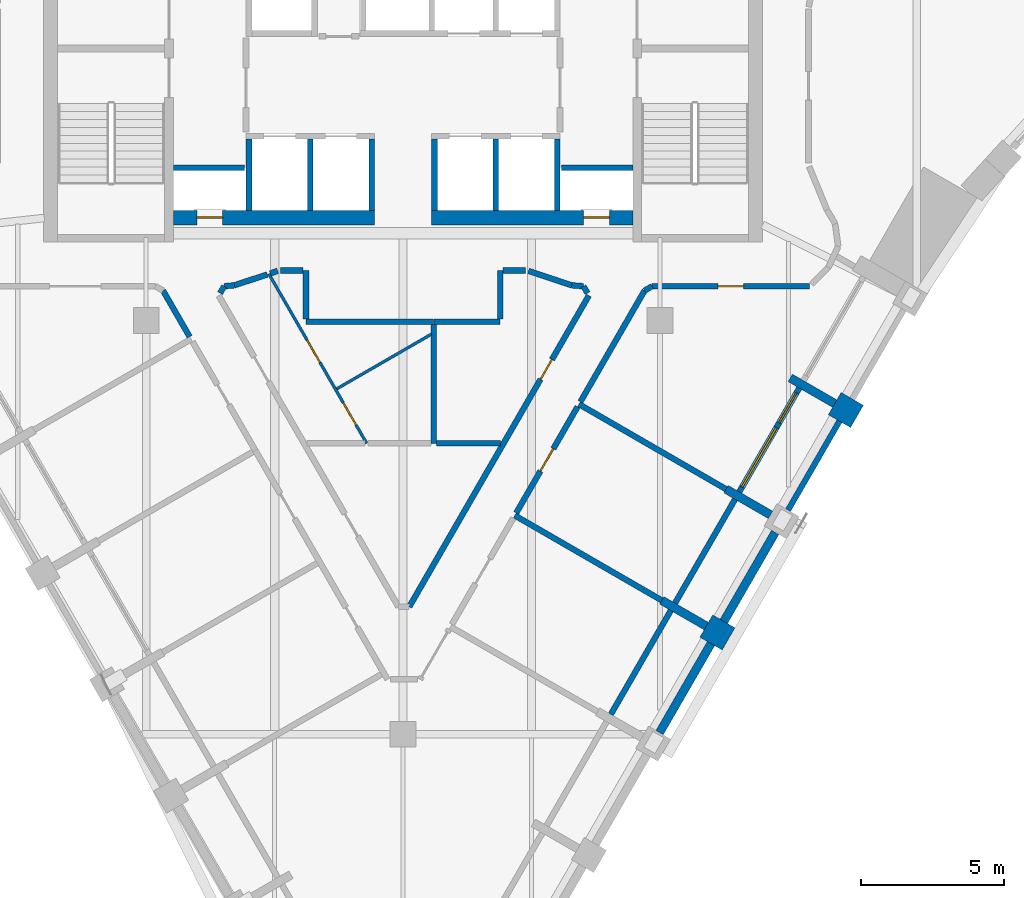
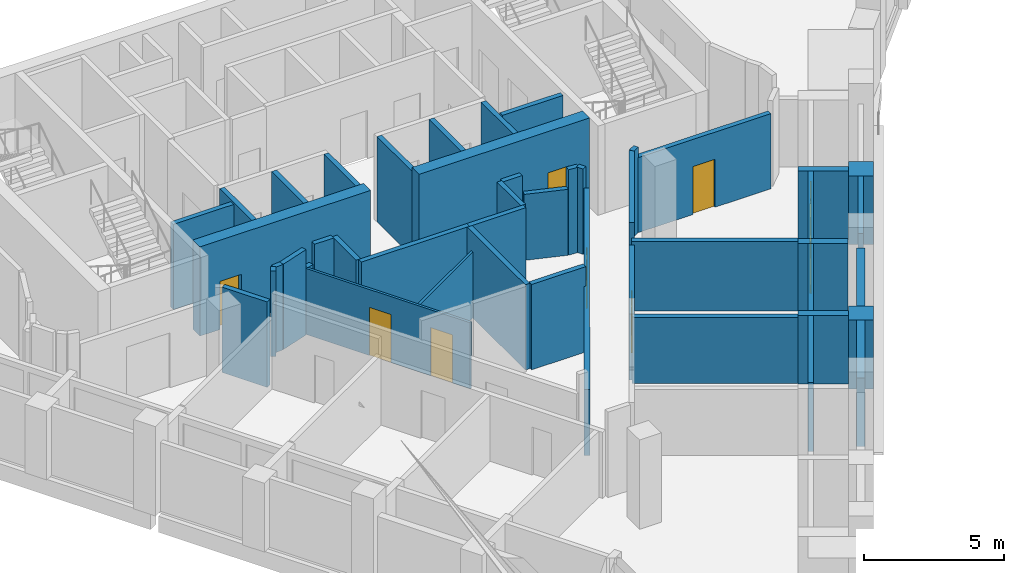
# One storey, part 4 of 9: 46 walls, 8 doors, 1 window, 9 openings.
"""IFC4 building model written with IfcOpenShell, lengths in metres."""

from ifc_helpers import new_model, si_unit, direction, frame, frame_2d, origin, place, context, subcontext, project, spatial, polyline, rectangle, outline, extrude, material, layer, layer_set, type_object, element, fill, save


model = new_model("IFC4")

# Units and contexts
model_context = context("Model", 3, precision=1e-05, world=origin(), true_north=direction((0.0, 1.0)))
body_context = subcontext(model_context, "Body", "Model", "MODEL_VIEW")
ifc_project = project(units=[si_unit("LENGTHUNIT", "METRE"), si_unit("AREAUNIT", "SQUARE_METRE"), si_unit("VOLUMEUNIT", "CUBIC_METRE"), si_unit("PLANEANGLEUNIT", "RADIAN"), si_unit("MASSUNIT", "GRAM", prefix="KILO")], contexts=[model_context])

# Site, building, storey
site_placement = place(None, origin())
site = spatial("IfcSite", under=ifc_project, at=site_placement, CompositionType="ELEMENT")
building_placement = place(site_placement, origin())
building = spatial("IfcBuilding", under=site, at=building_placement, Name="Calabash Gate Tower", CompositionType="ELEMENT")
storey_placement = place(building_placement, frame((0.0, 0.0, 256.0)))
storey = spatial("IfcBuildingStorey", under=building, at=storey_placement, Name="L61", CompositionType="ELEMENT", Elevation=256.0)

# Walls
ifc_material_1 = material(Name="Terracotta brick masonry, exposed face", Category="masonry")
ifc_layer_1 = layer(ifc_material_1, 0.89990234375)
ifc_layer_set_1 = layer_set([ifc_layer_1], Name="Brick end wall 900")
wall_type_1 = type_object("IfcWallType", Name="Brick end wall 900", PredefinedType="SOLIDWALL", material=ifc_layer_set_1)
wall_1_placement = place(storey_placement, frame((10.7880859375, -8.822021484375, 0.0), z_axis=(0.0, 0.0, 1.0), x_axis=(0.50001992892, 0.866013897511, 0.0)))
element("IfcWall", 1, at=wall_1_placement, inside=storey, type_object=wall_type_1, Name="Brick pier S17 SE2.3", PredefinedType="SOLIDWALL", context=body_context, shape_type="SweptSolid", body=[
    extrude(rectangle(XDim=0.89990234375, YDim=0.89990234375, at=frame_2d((0.449951171875, 0.0))), origin(), (0.0, 0.0, 1.0), 3.0),
])
wall_2_placement = place(storey_placement, frame((15.123291015625, -0.4130859375, 0.0), z_axis=(0.0, 0.0, 1.0), x_axis=(0.865964261186, -0.500105887137, 0.0)))
element("IfcWall", 2, at=wall_2_placement, inside=storey, type_object=wall_type_1, Name="Brick pier S17 SE2.5", PredefinedType="SOLIDWALL", context=body_context, shape_type="SweptSolid", body=[
    extrude(rectangle(XDim=0.900146484375, YDim=0.89990234375, at=frame_2d((0.4501953125, 0.0))), origin(), (0.0, 0.0, 1.0), 3.0),
])
ifc_material_2 = material(Name="Terracotta brick masonry, exposed face", Category="masonry")
ifc_layer_2 = layer(ifc_material_2, 0.300048828125)
ifc_layer_set_2 = layer_set([ifc_layer_2], Name="Brick infill panel wall 300")
wall_type_2 = type_object("IfcWallType", Name="Brick infill panel wall 300", PredefinedType="SOLIDWALL", material=ifc_layer_set_2)
for number, where, z_axis, x_axis, name in (
    (3, (8.988037109375, -11.939697265625, 0.0), (0.0, 0.0, 1.0), (0.500012057535, 0.866018442252, 0.0), "Brick panel S17 SE2.3"),
    (4, (11.238037109375, -8.042724609375, 0.0), (0.0, 0.0, 1.0), (0.500012057535, 0.866018442252, 0.0), "Brick panel S17 SE2.4"),
):
    element("IfcWall", number, at=place(storey_placement, frame(where, z_axis=z_axis, x_axis=x_axis)), inside=storey, type_object=wall_type_2, Name=name, PredefinedType="SOLIDWALL", context=body_context, shape_type="SweptSolid", body=[
        extrude(rectangle(XDim=3.60009765625, YDim=0.300048828125, at=frame_2d((1.800048828125, 0.0))), origin(), (0.0, 0.0, 1.0), 3.0),
    ])
ifc_material_3 = material(Name="Terracotta brick masonry, exposed face", Category="masonry")
ifc_layer_3 = layer(ifc_material_3, 0.300048828125)
ifc_layer_set_3 = layer_set([ifc_layer_3], Name="Brick loggia cheek wall 300")
wall_type_3 = type_object("IfcWallType", Name="Brick loggia cheek wall 300", PredefinedType="SOLIDWALL", material=ifc_layer_set_3)
wall_3_placement = place(storey_placement, frame((9.064453125, -7.307373046875, 0.0), z_axis=(0.0, 0.0, 1.0), x_axis=(0.865989075817, -0.500062916607, 0.0)))
element("IfcWall", 5, at=wall_3_placement, inside=storey, type_object=wall_type_3, Name="Loggia cheek S17 SE2.3", PredefinedType="SOLIDWALL", context=body_context, shape_type="SweptSolid", body=[
    extrude(rectangle(XDim=1.800048828125, YDim=0.300048828125, at=frame_2d((0.89990234375, 0.0))), origin(), (0.0, 0.0, 1.0), 3.0),
])
wall_4_placement = place(storey_placement, frame((11.314453125, -3.410400390625, 0.0), z_axis=(0.0, 0.0, 1.0), x_axis=(0.866029639064, -0.499992664208, 0.0)))
element("IfcWall", 6, at=wall_4_placement, inside=storey, type_object=wall_type_3, Name="Loggia cheek S17 SE2.4", PredefinedType="SOLIDWALL", context=body_context, shape_type="SweptSolid", body=[
    extrude(rectangle(XDim=1.798828125, YDim=0.300048828125, at=frame_2d((0.8994140625, 0.0))), origin(), (0.0, 0.0, 1.0), 3.0),
])
wall_5_placement = place(storey_placement, frame((15.123291015625, -0.4130859375, 0.0), z_axis=(0.0, 0.0, 1.0), x_axis=(-0.866047807691, 0.499961193289, 0.0)))
element("IfcWall", 7, at=wall_5_placement, inside=storey, type_object=wall_type_3, Name="Loggia cheek S17 SE2.5", PredefinedType="SOLIDWALL", context=body_context, shape_type="SweptSolid", body=[
    extrude(rectangle(XDim=1.800048828125, YDim=0.300048828125, at=frame_2d((0.89990234375, 0.0))), origin(), (0.0, 0.0, 1.0), 3.0),
])

# Wall, opening, door
ifc_material_4 = material(Name="Concrete C60/75", Category="concrete")
ifc_layer_4 = layer(ifc_material_4, 0.5)
ifc_layer_set_4 = layer_set([ifc_layer_4], Name="Core wall 500 Concrete C60/75")
wall_type_4 = type_object("IfcWallType", Name="Core wall 500 Concrete C60/75", PredefinedType="SHEAR", material=ifc_layer_set_4)
wall_6_placement = place(storey_placement, frame((-8.050048828125, 6.1025390625, 0.0), z_axis=(0.0, 0.0, 1.0), x_axis=(1.0, 0.0, 0.0)))
wall_6 = element("IfcWall", 8, at=wall_6_placement, inside=storey, type_object=wall_type_4, Name="Core wall Z5-SA L61", PredefinedType="SHEAR", context=body_context, shape_type="SweptSolid", body=[
    extrude(rectangle(XDim=7.050048828125, YDim=0.5, at=frame_2d((3.52490234375, 0.0))), origin(), (0.0, 0.0, 1.0), 3.89990234375),
])
opening_1_placement = place(wall_6_placement, frame((0.824951171875, 0.0, 0.0)))
opening_1 = element("IfcOpeningElement", 9, at=opening_1_placement, cuts=wall_6, Name="Opening O9-010", PredefinedType="OPENING", context=body_context, shape_type="SweptSolid", body=[
    extrude(rectangle(XDim=0.89990234375, YDim=2.10009765625, at=frame_2d((0.449951171875, 1.050048828125))), frame((0.0, 0.260009765625, 0.0), z_axis=(0.0, -1.0, 0.0), x_axis=(1.0, 0.0, 0.0)), (0.0, 0.0, 1.0), 0.52001953125),
])
ifc_material_5 = material(Name="Steel fire door set with fire-resisting glazing", Category="steel")
door_type_1 = type_object("IfcDoorType", Name="Fire door D07 900x2100 FD90", OperationType="NOTDEFINED", PredefinedType="DOOR", material=ifc_material_5)
door_1_placement = place(opening_1_placement, origin())
door_1 = element("IfcDoor", 10, at=door_1_placement, inside=storey, type_object=door_type_1, Name="Electrical Riser W door", OperationType="SINGLE_SWING_LEFT", OverallHeight=2.10009765625, OverallWidth=0.89990234375, PredefinedType="DOOR", context=body_context, shape_type="SweptSolid", body=[
    extrude(rectangle(XDim=0.89990234375, YDim=2.10009765625, at=frame_2d((0.449951171875, 1.050048828125))), frame((0.0, 0.02490234375, 0.0), z_axis=(0.0, -1.0, 0.0), x_axis=(1.0, 0.0, 0.0)), (0.0, 0.0, 1.0), 0.050048828125),
])
fill(opening_1, door_1)

wall_7_placement = place(storey_placement, frame((1.0, 6.1025390625, 0.0), z_axis=(0.0, 0.0, 1.0), x_axis=(1.0, 0.0, 0.0)))
wall_7 = element("IfcWall", 11, at=wall_7_placement, inside=storey, type_object=wall_type_4, Name="Core wall Z5-SB L61", PredefinedType="SHEAR", context=body_context, shape_type="SweptSolid", body=[
    extrude(rectangle(XDim=7.050048828125, YDim=0.5, at=frame_2d((3.52490234375, 0.0))), origin(), (0.0, 0.0, 1.0), 3.89990234375),
])
opening_2_placement = place(wall_7_placement, frame((5.324951171875, 0.0, 0.0)))
opening_2 = element("IfcOpeningElement", 12, at=opening_2_placement, cuts=wall_7, Name="Opening O9-009", PredefinedType="OPENING", context=body_context, shape_type="SweptSolid", body=[
    extrude(rectangle(XDim=0.89990234375, YDim=2.10009765625, at=frame_2d((0.449951171875, 1.050048828125))), frame((0.0, 0.260009765625, 0.0), z_axis=(0.0, -1.0, 0.0), x_axis=(1.0, 0.0, 0.0)), (0.0, 0.0, 1.0), 0.52001953125),
])
door_2_placement = place(opening_2_placement, origin())
door_2 = element("IfcDoor", 13, at=door_2_placement, inside=storey, type_object=door_type_1, Name="Mechanical Riser E door", OperationType="SINGLE_SWING_RIGHT", OverallHeight=2.10009765625, OverallWidth=0.89990234375, PredefinedType="DOOR", context=body_context, shape_type="SweptSolid", body=[
    extrude(rectangle(XDim=0.89990234375, YDim=2.10009765625, at=frame_2d((0.449951171875, 1.050048828125))), frame((0.0, 0.02490234375, 0.0), z_axis=(0.0, -1.0, 0.0), x_axis=(1.0, 0.0, 0.0)), (0.0, 0.0, 1.0), 0.050048828125),
])
fill(opening_2, door_2)

# Wall
ifc_material_6 = material(Name="Gypsum board on steel studs, mineral wool", Category="steel")
ifc_layer_5 = layer(ifc_material_6, 0.10009765625)
ifc_layer_set_5 = layer_set([ifc_layer_5], Name="Partition 100 gypsum board")
wall_type_5 = type_object("IfcWallType", Name="Partition 100 gypsum board", PredefinedType="PARTITIONING", material=ifc_layer_set_5)
wall_8_placement = place(storey_placement, frame((-2.320068359375, 0.105712890625, 0.0), z_axis=(0.0, 0.0, 1.0), x_axis=(0.866013238859, 0.500021069677, 0.0)))
element("IfcWall", 14, at=wall_8_placement, inside=storey, type_object=wall_type_5, Name="Partition", PredefinedType="PARTITIONING", context=body_context, shape_type="SweptSolid", body=[
    extrude(rectangle(XDim=3.821533203125, YDim=0.10009765625, at=frame_2d((1.91064453125, 0.0))), origin(), (0.0, 0.0, 1.0), 2.884033203125),
])

# Wall, openings, doors
wall_9_placement = place(storey_placement, frame((-4.702392578125, 4.13232421875, 0.0), z_axis=(0.0, 0.0, 1.0), x_axis=(0.499966025771, -0.866045017926, 0.0)))
wall_9 = element("IfcWall", 15, at=wall_9_placement, inside=storey, type_object=wall_type_5, Name="Partition", PredefinedType="PARTITIONING", context=body_context, shape_type="SweptSolid", body=[
    extrude(rectangle(XDim=6.8544921875, YDim=0.10009765625, at=frame_2d((3.42724609375, 0.0))), origin(), (0.0, 0.0, 1.0), 2.884033203125),
])
opening_3_placement = place(wall_9_placement, frame((2.68798828125, 0.0, 0.0)))
opening_3 = element("IfcOpeningElement", 16, at=opening_3_placement, cuts=wall_9, Name="Opening 59-61-014", PredefinedType="OPENING", context=body_context, shape_type="SweptSolid", body=[
    extrude(rectangle(XDim=0.89990234375, YDim=2.10009765625, at=frame_2d((0.449951171875, 1.050048828125))), frame((0.0, 0.06005859375, 0.0), z_axis=(0.0, -1.0, 0.0), x_axis=(1.0, 0.0, 0.0)), (0.0, 0.0, 1.0), 0.1201171875),
])
opening_4_placement = place(wall_9_placement, frame((5.215576171875, 0.0, 0.0)))
opening_4 = element("IfcOpeningElement", 17, at=opening_4_placement, cuts=wall_9, Name="Opening 59-61-015", PredefinedType="OPENING", context=body_context, shape_type="SweptSolid", body=[
    extrude(rectangle(XDim=0.89990234375, YDim=2.10009765625, at=frame_2d((0.449951171875, 1.050048828125))), frame((0.0, 0.06005859375, 0.0), z_axis=(0.0, -1.0, 0.0), x_axis=(1.0, 0.0, 0.0)), (0.0, 0.0, 1.0), 0.1201171875),
])
ifc_material_7 = material(Name="Painted timber door", Category="wood")
door_type_2 = type_object("IfcDoorType", Name="WD1 WC door 900x2100", OperationType="NOTDEFINED", PredefinedType="DOOR", material=ifc_material_7)
door_3_placement = place(opening_3_placement, origin())
door_3 = element("IfcDoor", 18, at=door_3_placement, inside=storey, type_object=door_type_2, Name="WC door", OperationType="SINGLE_SWING_LEFT", OverallHeight=2.10009765625, OverallWidth=0.89990234375, PredefinedType="DOOR", context=body_context, shape_type="SweptSolid", body=[
    extrude(rectangle(XDim=0.89990234375, YDim=2.10009765625, at=frame_2d((0.449951171875, 1.050048828125))), frame((0.0, 0.02490234375, 0.0), z_axis=(0.0, -1.0, 0.0), x_axis=(1.0, 0.0, 0.0)), (0.0, 0.0, 1.0), 0.050048828125),
])
fill(opening_3, door_3)
door_4_placement = place(opening_4_placement, origin())
door_4 = element("IfcDoor", 19, at=door_4_placement, inside=storey, type_object=door_type_2, Name="WC door", OperationType="SINGLE_SWING_RIGHT", OverallHeight=2.10009765625, OverallWidth=0.89990234375, PredefinedType="DOOR", context=body_context, shape_type="SweptSolid", body=[
    extrude(rectangle(XDim=0.89990234375, YDim=2.10009765625, at=frame_2d((0.449951171875, 1.050048828125))), frame((0.0, 0.02490234375, 0.0), z_axis=(0.0, -1.0, 0.0), x_axis=(1.0, 0.0, 0.0)), (0.0, 0.0, 1.0), 0.050048828125),
])
fill(opening_4, door_4)

# Wall, opening, door
ifc_material_8 = material(Name="Gypsum board on steel studs, mineral wool", Category="steel")
ifc_layer_6 = layer(ifc_material_8, 0.199951171875)
ifc_layer_set_6 = layer_set([ifc_layer_6], Name="Partition 200 gypsum board EI 60")
wall_type_6 = type_object("IfcWallType", Name="Partition 200 gypsum board EI 60", PredefinedType="PARTITIONING", material=ifc_layer_set_6)
wall_10_placement = place(storey_placement, frame((0.216552734375, -7.531982421875, 0.0), z_axis=(0.0, 0.0, 1.0), x_axis=(0.499766665369, 0.866160077691, 0.0)))
wall_10 = element("IfcWall", 20, at=wall_10_placement, inside=storey, type_object=wall_type_6, Name="Partition", PredefinedType="PARTITIONING", context=body_context, shape_type="SweptSolid", body=[
    extrude(rectangle(XDim=12.58837890625, YDim=0.199951171875, at=frame_2d((6.294189453125, 0.0))), origin(), (0.0, 0.0, 1.0), 2.884033203125),
])
opening_5_placement = place(wall_10_placement, frame((9.20068359375, 0.0, 0.0)))
opening_5 = element("IfcOpeningElement", 21, at=opening_5_placement, cuts=wall_10, Name="Opening 59-61-006", PredefinedType="OPENING", context=body_context, shape_type="SweptSolid", body=[
    extrude(rectangle(XDim=0.800048828125, YDim=2.10009765625, at=frame_2d((0.39990234375, 1.050048828125))), frame((0.0, 0.10986328125, 0.0), z_axis=(0.0, -1.0, 0.0), x_axis=(1.0, 0.0, 0.0)), (0.0, 0.0, 1.0), 0.219970703125),
])
ifc_material_9 = material(Name="Steel fire door set with fire-resisting glazing", Category="steel")
door_type_3 = type_object("IfcDoorType", Name="SD2 Riser access door 800x2100", OperationType="NOTDEFINED", PredefinedType="DOOR", material=ifc_material_9)
door_5_placement = place(opening_5_placement, origin())
door_5 = element("IfcDoor", 22, at=door_5_placement, inside=storey, type_object=door_type_3, Name="Riser access door", OperationType="SINGLE_SWING_RIGHT", OverallHeight=2.10009765625, OverallWidth=0.800048828125, PredefinedType="DOOR", context=body_context, shape_type="SweptSolid", body=[
    extrude(rectangle(XDim=0.800048828125, YDim=2.10009765625, at=frame_2d((0.39990234375, 1.050048828125))), frame((0.0, 0.02490234375, 0.0), z_axis=(0.0, -1.0, 0.0), x_axis=(1.0, 0.0, 0.0)), (0.0, 0.0, 1.0), 0.050048828125),
])
fill(opening_5, door_5)

# Walls
wall_11_placement = place(storey_placement, frame((3.914306640625, -4.331787109375, 0.0), z_axis=(0.0, 0.0, 1.0), x_axis=(0.865897075154, -0.500222205864, 0.0)))
element("IfcWall", 23, at=wall_11_placement, inside=storey, type_object=wall_type_6, Name="Partition", PredefinedType="PARTITIONING", context=body_context, shape_type="SweptSolid", body=[
    extrude(rectangle(XDim=5.947998046875, YDim=0.199951171875, at=frame_2d((2.97412109375, 0.0))), origin(), (0.0, 0.0, 1.0), 2.884033203125),
])
wall_12_placement = place(storey_placement, frame((1.17626953125, -1.804931640625, 0.0), z_axis=(0.0, 0.0, 1.0), x_axis=(0.999999709909, -0.000761697276, 0.0)))
element("IfcWall", 24, at=wall_12_placement, inside=storey, type_object=wall_type_6, Name="Partition", PredefinedType="PARTITIONING", context=body_context, shape_type="SweptSolid", body=[
    extrude(rectangle(XDim=2.24365234375, YDim=0.199951171875, at=frame_2d((1.121826171875, 0.0))), origin(), (0.0, 0.0, 1.0), 3.72998046875),
])
wall_13_placement = place(storey_placement, frame((1.074462890625, -1.802978515625, 0.0), z_axis=(0.0, 0.0, 1.0), x_axis=(0.0, 1.0, 0.0)))
element("IfcWall", 25, at=wall_13_placement, inside=storey, type_object=wall_type_6, Name="Partition", PredefinedType="PARTITIONING", context=body_context, shape_type="SweptSolid", body=[
    extrude(rectangle(XDim=4.153564453125, YDim=0.199951171875, at=frame_2d((2.07666015625, 0.0))), origin(), (0.0, 0.0, 1.0), 3.72998046875),
])

# Wall, opening, door
wall_14_placement = place(storey_placement, frame((3.96435546875, -4.2451171875, 0.0), z_axis=(0.0, 0.0, 1.0), x_axis=(0.499987977232, 0.866032345022, 0.0)))
wall_14 = element("IfcWall", 26, at=wall_14_placement, inside=storey, type_object=wall_type_6, Name="Partition", PredefinedType="PARTITIONING", context=body_context, shape_type="SweptSolid", body=[
    extrude(rectangle(XDim=4.2978515625, YDim=0.199951171875, at=frame_2d((2.14892578125, 0.0))), origin(), (0.0, 0.0, 1.0), 2.884033203125),
])
opening_6_placement = place(wall_14_placement, frame((1.697998046875, 0.0, 0.0)))
opening_6 = element("IfcOpeningElement", 27, at=opening_6_placement, cuts=wall_14, Name="Opening 59-61-005", PredefinedType="OPENING", context=body_context, shape_type="SweptSolid", body=[
    extrude(rectangle(XDim=0.89990234375, YDim=2.10009765625, at=frame_2d((0.449951171875, 1.050048828125))), frame((0.0, 0.10986328125, 0.0), z_axis=(0.0, -1.0, 0.0), x_axis=(1.0, 0.0, 0.0)), (0.0, 0.0, 1.0), 0.219970703125),
])
ifc_material_10 = material(Name="Steel fire door set with fire-resisting glazing", Category="steel")
door_type_4 = type_object("IfcDoorType", Name="SD3 Store door 900x2100", OperationType="NOTDEFINED", PredefinedType="DOOR", material=ifc_material_10)
door_6_placement = place(opening_6_placement, origin())
door_6 = element("IfcDoor", 28, at=door_6_placement, inside=storey, type_object=door_type_4, Name="Store door", OperationType="SINGLE_SWING_RIGHT", OverallHeight=2.10009765625, OverallWidth=0.89990234375, PredefinedType="DOOR", context=body_context, shape_type="SweptSolid", body=[
    extrude(rectangle(XDim=0.89990234375, YDim=2.10009765625, at=frame_2d((0.449951171875, 1.050048828125))), frame((0.0, 0.02490234375, 0.0), z_axis=(0.0, -1.0, 0.0), x_axis=(1.0, 0.0, 0.0)), (0.0, 0.0, 1.0), 0.050048828125),
])
fill(opening_6, door_6)

# Walls
wall_15_placement = place(storey_placement, frame((6.1630859375, -0.433837890625, 0.0), z_axis=(0.0, 0.0, 1.0), x_axis=(0.865895092647, -0.500225637618, 0.0)))
element("IfcWall", 29, at=wall_15_placement, inside=storey, type_object=wall_type_6, Name="Partition", PredefinedType="PARTITIONING", context=body_context, shape_type="SweptSolid", body=[
    extrude(rectangle(XDim=5.949462890625, YDim=0.199951171875, at=frame_2d((2.974609375, 0.0))), origin(), (0.0, 0.0, 1.0), 3.052001953125),
])
wall_16_placement = place(storey_placement, frame((-8.40869140625, 3.54638671875, 0.0), z_axis=(0.0, 0.0, 1.0), x_axis=(0.499446790572, -0.866344563893, 0.0)))
element("IfcWall", 30, at=wall_16_placement, inside=storey, type_object=wall_type_6, Name="Partition", PredefinedType="PARTITIONING", context=body_context, shape_type="SweptSolid", body=[
    extrude(rectangle(XDim=1.86572265625, YDim=0.199951171875, at=frame_2d((0.932861328125, 0.0))), origin(), (0.0, 0.0, 1.0), 3.72998046875),
])
wall_17_placement = place(storey_placement, frame((-3.400146484375, 2.452392578125, 0.0), z_axis=(0.0, 0.0, 1.0), x_axis=(0.999999927065, -0.000381929261, 0.0)))
element("IfcWall", 31, at=wall_17_placement, inside=storey, type_object=wall_type_6, Name="Partition", PredefinedType="PARTITIONING", context=body_context, shape_type="SweptSolid", body=[
    extrude(rectangle(XDim=4.474609375, YDim=0.199951171875, at=frame_2d((2.2373046875, 0.0))), origin(), (0.0, 0.0, 1.0), 3.72998046875),
])
wall_18_placement = place(storey_placement, frame((1.076416015625, 2.45068359375, 0.0), z_axis=(0.0, 0.0, 1.0), x_axis=(0.999999729558, 0.000735448425, 0.0)))
element("IfcWall", 32, at=wall_18_placement, inside=storey, type_object=wall_type_6, Name="Partition", PredefinedType="PARTITIONING", context=body_context, shape_type="SweptSolid", body=[
    extrude(rectangle(XDim=2.32373046875, YDim=0.199951171875, at=frame_2d((1.161865234375, 0.0))), origin(), (0.0, 0.0, 1.0), 3.72998046875),
])
wall_19_placement = place(storey_placement, frame((-3.400146484375, 4.25244140625, 0.0), z_axis=(0.0, 0.0, 1.0), x_axis=(0.0, -1.0, 0.0)))
element("IfcWall", 33, at=wall_19_placement, inside=storey, type_object=wall_type_6, Name="Partition", PredefinedType="PARTITIONING", context=body_context, shape_type="SweptSolid", body=[
    extrude(rectangle(XDim=1.699951171875, YDim=0.199951171875, at=frame_2d((0.85009765625, 0.0))), origin(), (0.0, 0.0, 1.0), 3.72998046875),
])
wall_20_placement = place(storey_placement, frame((6.3203125, 3.69970703125, 0.0), z_axis=(0.0, 0.0, 1.0), x_axis=(0.499973348067, -0.866040790738, 0.0)))
element("IfcWall", 34, at=wall_20_placement, inside=storey, type_object=wall_type_6, Name="Partition", PredefinedType="PARTITIONING", context=body_context, shape_type="SweptSolid", body=[
    extrude(rectangle(XDim=0.28076171875, YDim=0.199951171875, at=frame_2d((0.140380859375, 0.0))), origin(), (0.0, 0.0, 1.0), 3.72998046875),
])
wall_21_placement = place(storey_placement, frame((6.213623046875, -0.34912109375, 0.0), z_axis=(0.0, 0.0, 1.0), x_axis=(0.499747517155, 0.866171125758, 0.0)))
element("IfcWall", 35, at=wall_21_placement, inside=storey, type_object=wall_type_6, Name="Partition", PredefinedType="PARTITIONING", context=body_context, shape_type="SweptSolid", body=[
    extrude(rectangle(XDim=4.497314453125, YDim=0.199951171875, at=frame_2d((2.24853515625, 0.0))), origin(), (0.0, 0.0, 1.0), 3.72998046875),
])
wall_22_placement = place(storey_placement, frame((-6.408447265625, 3.45654296875, 0.0), z_axis=(0.0, 0.0, 1.0), x_axis=(0.499973348067, 0.866040790738, 0.0)))
element("IfcWall", 36, at=wall_22_placement, inside=storey, type_object=wall_type_6, Name="Partition", PredefinedType="PARTITIONING", context=body_context, shape_type="SweptSolid", body=[
    extrude(rectangle(XDim=0.28076171875, YDim=0.199951171875, at=frame_2d((0.140380859375, 0.0))), origin(), (0.0, 0.0, 1.0), 3.72998046875),
])
wall_23_placement = place(storey_placement, frame((-6.26806640625, 3.69970703125, 0.0), z_axis=(0.0, 0.0, 1.0), x_axis=(0.996441862788, 0.084282940645, 0.0)))
element("IfcWall", 37, at=wall_23_placement, inside=storey, type_object=wall_type_6, Name="Partition", PredefinedType="PARTITIONING", context=body_context, shape_type="SweptSolid", body=[
    extrude(rectangle(XDim=0.359130859375, YDim=0.199951171875, at=frame_2d((0.1796875, 0.0))), origin(), (0.0, 0.0, 1.0), 3.72998046875),
])
wall_24_placement = place(storey_placement, frame((8.461181640625, 3.54638671875, 0.0), z_axis=(0.0, 0.0, 1.0), x_axis=(0.865826662844, 0.500344071524, 0.0)))
element("IfcWall", 38, at=wall_24_placement, inside=storey, type_object=wall_type_6, Name="Partition", PredefinedType="PARTITIONING", context=body_context, shape_type="SweptSolid", body=[
    extrude(rectangle(XDim=0.305908203125, YDim=0.199951171875, at=frame_2d((0.15283203125, 0.0))), origin(), (0.0, 0.0, 1.0), 3.72998046875),
])

# Wall, opening, door
wall_25_placement = place(storey_placement, frame((8.72607421875, 3.699462890625, 0.0), z_axis=(0.0, 0.0, 1.0), x_axis=(1.0, 0.0, 0.0)))
wall_25 = element("IfcWall", 39, at=wall_25_placement, inside=storey, type_object=wall_type_6, Name="Partition", PredefinedType="PARTITIONING", context=body_context, shape_type="SweptSolid", body=[
    extrude(rectangle(XDim=5.513916015625, YDim=0.199951171875, at=frame_2d((2.7568359375, 0.0))), origin(), (0.0, 0.0, 1.0), 3.2822265625),
])
opening_7_placement = place(wall_25_placement, frame((2.306884765625, 0.0, 0.0)))
opening_7 = element("IfcOpeningElement", 40, at=opening_7_placement, cuts=wall_25, Name="Opening 59-61-011", PredefinedType="OPENING", context=body_context, shape_type="SweptSolid", body=[
    extrude(rectangle(XDim=0.89990234375, YDim=2.10009765625, at=frame_2d((0.449951171875, 1.050048828125))), frame((0.0, 0.10986328125, 0.0), z_axis=(0.0, -1.0, 0.0), x_axis=(1.0, 0.0, 0.0)), (0.0, 0.0, 1.0), 0.219970703125),
])
door_7_placement = place(opening_7_placement, origin())
door_7 = element("IfcDoor", 41, at=door_7_placement, inside=storey, type_object=door_type_4, Name="Store door", OperationType="SINGLE_SWING_RIGHT", OverallHeight=2.10009765625, OverallWidth=0.89990234375, PredefinedType="DOOR", context=body_context, shape_type="SweptSolid", body=[
    extrude(rectangle(XDim=0.89990234375, YDim=2.10009765625, at=frame_2d((0.449951171875, 1.050048828125))), frame((0.0, 0.02490234375, 0.0), z_axis=(0.0, -1.0, 0.0), x_axis=(1.0, 0.0, 0.0)), (0.0, 0.0, 1.0), 0.050048828125),
])
fill(opening_7, door_7)

# Walls
wall_26_placement = place(storey_placement, frame((4.392578125, 4.235595703125, 0.0), z_axis=(0.0, 0.0, 1.0), x_axis=(0.948729076189, -0.316090398453, 0.0)))
element("IfcWall", 42, at=wall_26_placement, inside=storey, type_object=wall_type_6, Name="Partition", PredefinedType="PARTITIONING", context=body_context, shape_type="SweptSolid", body=[
    extrude(rectangle(XDim=1.599609375, YDim=0.199951171875, at=frame_2d((0.7998046875, 0.0))), origin(), (0.0, 0.0, 1.0), 2.884033203125),
])
wall_27_placement = place(storey_placement, frame((5.91015625, 3.72998046875, 0.0), z_axis=(0.0, 0.0, 1.0), x_axis=(0.997287156444, -0.073609290118, 0.0)))
element("IfcWall", 43, at=wall_27_placement, inside=storey, type_object=wall_type_6, Name="Partition", PredefinedType="PARTITIONING", context=body_context, shape_type="SweptSolid", body=[
    extrude(rectangle(XDim=0.411376953125, YDim=0.199951171875, at=frame_2d((0.20556640625, 0.0))), origin(), (0.0, 0.0, 1.0), 3.72998046875),
])
wall_28_placement = place(storey_placement, frame((-5.91015625, 3.72998046875, 0.0), z_axis=(0.0, 0.0, 1.0), x_axis=(0.949201798451, 0.314667992999, 0.0)))
element("IfcWall", 44, at=wall_28_placement, inside=storey, type_object=wall_type_6, Name="Partition", PredefinedType="PARTITIONING", context=body_context, shape_type="SweptSolid", body=[
    extrude(rectangle(XDim=1.22119140625, YDim=0.199951171875, at=frame_2d((0.610595703125, 0.0))), origin(), (0.0, 0.0, 1.0), 3.72998046875),
])
wall_29_placement = place(storey_placement, frame((-4.656005859375, 4.146240234375, 0.0), z_axis=(0.0, 0.0, 1.0), x_axis=(0.947002540531, 0.321226070282, 0.0)))
element("IfcWall", 45, at=wall_29_placement, inside=storey, type_object=wall_type_6, Name="Partition", PredefinedType="PARTITIONING", context=body_context, shape_type="SweptSolid", body=[
    extrude(rectangle(XDim=0.278076171875, YDim=0.199951171875, at=frame_2d((0.13916015625, 0.0))), origin(), (0.0, 0.0, 1.0), 2.884033203125),
])
wall_30_placement = place(storey_placement, frame((-4.2890625, 4.25244140625, 0.0), z_axis=(0.0, 0.0, 1.0), x_axis=(1.0, 0.0, 0.0)))
element("IfcWall", 46, at=wall_30_placement, inside=storey, type_object=wall_type_6, Name="Partition", PredefinedType="PARTITIONING", context=body_context, shape_type="SweptSolid", body=[
    extrude(rectangle(XDim=0.788818359375, YDim=0.199951171875, at=frame_2d((0.39453125, 0.0))), origin(), (0.0, 0.0, 1.0), 3.72998046875),
])
wall_31_placement = place(storey_placement, frame((3.400146484375, 2.552490234375, 0.0), z_axis=(0.0, 0.0, 1.0), x_axis=(0.001150250857, 0.999999338461, 0.0)))
element("IfcWall", 47, at=wall_31_placement, inside=storey, type_object=wall_type_6, Name="Partition", PredefinedType="PARTITIONING", context=body_context, shape_type="SweptSolid", body=[
    extrude(rectangle(XDim=1.697998046875, YDim=0.199951171875, at=frame_2d((0.84912109375, 0.0))), origin(), (0.0, 0.0, 1.0), 3.72998046875),
])
wall_32_placement = place(storey_placement, frame((3.501953125, 4.250732421875, 0.0), z_axis=(0.0, 0.0, 1.0), x_axis=(0.999997642919, 0.002171210763, 0.0)))
element("IfcWall", 48, at=wall_32_placement, inside=storey, type_object=wall_type_6, Name="Partition", PredefinedType="PARTITIONING", context=body_context, shape_type="SweptSolid", body=[
    extrude(rectangle(XDim=0.787109375, YDim=0.199951171875, at=frame_2d((0.3935546875, 0.0))), origin(), (0.0, 0.0, 1.0), 3.72998046875),
])
ifc_material_11 = material(Name="Concrete C40/50", Category="concrete")
ifc_layer_7 = layer(ifc_material_11, 0.199951171875)
ifc_layer_set_7 = layer_set([ifc_layer_7], Name="Shaft wall 200 Concrete C40/50")
wall_type_7 = type_object("IfcWallType", Name="Shaft wall 200 Concrete C40/50", PredefinedType="SOLIDWALL", material=ifc_layer_set_7)
for number, where, z_axis, x_axis, name in (
    (49, (-5.39990234375, 6.3525390625, 0.0), (0.0, 0.0, 1.0), (0.0, 1.0, 0.0), "Shaft wall"),
    (50, (-3.25, 6.3525390625, 0.0), (0.0, 0.0, 1.0), (0.0, 1.0, 0.0), "Shaft wall"),
    (51, (-1.10009765625, 6.3525390625, 0.0), (0.0, 0.0, 1.0), (0.0, 1.0, 0.0), "Shaft wall"),
    (52, (1.10009765625, 6.3525390625, 0.0), (0.0, 0.0, 1.0), (0.0, 1.0, 0.0), "Shaft wall"),
    (53, (3.25, 6.3525390625, 0.0), (0.0, 0.0, 1.0), (0.0, 1.0, 0.0), "Shaft wall"),
    (54, (5.39990234375, 6.3525390625, 0.0), (0.0, 0.0, 1.0), (0.0, 1.0, 0.0), "Shaft wall"),
    (55, (-8.050048828125, 7.8525390625, 0.0), (0.0, 0.0, 1.0), (1.0, 0.0, 0.0), "Shaft wall"),
    (56, (5.550048828125, 7.8525390625, 0.0), (0.0, 0.0, 1.0), (1.0, 0.0, 0.0), "Shaft wall"),
):
    element("IfcWall", number, at=place(storey_placement, frame(where, z_axis=z_axis, x_axis=x_axis)), inside=storey, type_object=wall_type_7, Name=name, PredefinedType="SOLIDWALL", context=body_context, shape_type="SweptSolid", body=[
        extrude(rectangle(XDim=2.5, YDim=0.199951171875, at=frame_2d((1.25, 0.0))), origin(), (0.0, 0.0, 1.0), 3.72998046875),
    ])
ifc_material_12 = material(Name="Terracotta brick masonry, perforated", Category="masonry")
ifc_layer_8 = layer(ifc_material_12, 0.199951171875)
ifc_layer_set_8 = layer_set([ifc_layer_8], Name="Terracotta jaali screen A")
wall_type_8 = type_object("IfcWallType", Name="Terracotta jaali screen A", PredefinedType="SOLIDWALL", material=ifc_layer_set_8)
wall_33_placement = place(storey_placement, origin())
element("IfcWall", 57, at=wall_33_placement, inside=storey, type_object=wall_type_8, Name="SCREEN A S17 SE2.5", PredefinedType="SOLIDWALL", context=body_context, shape_type="SweptSolid", body=[
    extrude(outline(polyline([(15.201416015625, -0.977783203125), (13.40234375, -4.09375), (13.57568359375, -4.19384765625), (15.37451171875, -1.077880859375), (15.201416015625, -0.977783203125)])), origin(), (0.0, 0.0, 1.0), 3.0),
])
ifc_material_13 = material(Name="Aluminium framed window wall with insulated spandrel", Category="aluminium")
ifc_layer_9 = layer(ifc_material_13, 0.199951171875)
ifc_layer_set_9 = layer_set([ifc_layer_9], Name="Window wall 200")
wall_type_9 = type_object("IfcWallType", Name="Window wall 200", PredefinedType="ELEMENTEDWALL", material=ifc_layer_set_9)
wall_34_placement = place(storey_placement, frame((7.279052734375, -11.299560546875, 0.0), z_axis=(0.0, 0.0, 1.0), x_axis=(0.500027713859, 0.866009402589, 0.0)))
element("IfcWall", 58, at=wall_34_placement, inside=storey, type_object=wall_type_9, Name="Window wall S17 SE2.3", PredefinedType="ELEMENTEDWALL", context=body_context, shape_type="SweptSolid", body=[
    extrude(rectangle(XDim=4.199951171875, YDim=0.199951171875, at=frame_2d((2.10009765625, 0.0))), origin(), (0.0, 0.0, 1.0), 3.0),
])
wall_35_placement = place(storey_placement, frame((9.529052734375, -7.402587890625, 0.0), z_axis=(0.0, 0.0, 1.0), x_axis=(0.500002543286, 0.866023935413, 0.0)))
element("IfcWall", 59, at=wall_35_placement, inside=storey, type_object=wall_type_9, Name="Window wall S17 SE2.4", PredefinedType="ELEMENTEDWALL", context=body_context, shape_type="SweptSolid", body=[
    extrude(rectangle(XDim=4.2001953125, YDim=0.199951171875, at=frame_2d((2.10009765625, 0.0))), origin(), (0.0, 0.0, 1.0), 3.0),
])

# Wall, openings, door, window
wall_36_placement = place(storey_placement, frame((11.779052734375, -3.50537109375, 0.0), z_axis=(0.0, 0.0, 1.0), x_axis=(0.500027713859, 0.866009402589, 0.0)))
wall_36 = element("IfcWall", 60, at=wall_36_placement, inside=storey, type_object=wall_type_9, Name="Window wall S17 SE2.5", PredefinedType="ELEMENTEDWALL", context=body_context, shape_type="SweptSolid", body=[
    extrude(rectangle(XDim=4.199951171875, YDim=0.199951171875, at=frame_2d((2.10009765625, 0.0))), origin(), (0.0, 0.0, 1.0), 3.0),
])
opening_8_placement = place(wall_36_placement, frame((0.199951171875, 0.0, 0.449951171875)))
opening_8 = element("IfcOpeningElement", 61, at=opening_8_placement, cuts=wall_36, Name="Opening OW1", PredefinedType="OPENING", context=body_context, shape_type="SweptSolid", body=[
    extrude(rectangle(XDim=2.39990234375, YDim=2.25, at=frame_2d((1.199951171875, 1.125))), frame((0.0, 0.10986328125, 0.0), z_axis=(0.0, -1.0, 0.0), x_axis=(1.0, 0.0, 0.0)), (0.0, 0.0, 1.0), 0.219970703125),
])
opening_9_placement = place(wall_36_placement, frame((2.800048828125, 0.0, 0.0)))
opening_9 = element("IfcOpeningElement", 62, at=opening_9_placement, cuts=wall_36, Name="Opening O9-016", PredefinedType="OPENING", context=body_context, shape_type="SweptSolid", body=[
    extrude(rectangle(XDim=1.199951171875, YDim=2.699951171875, at=frame_2d((0.60009765625, 1.35009765625))), frame((0.0, 0.10986328125, 0.0), z_axis=(0.0, -1.0, 0.0), x_axis=(1.0, 0.0, 0.0)), (0.0, 0.0, 1.0), 0.219970703125),
])
ifc_material_14 = material(Name="Anodised aluminium frame, bronze finish, impact-rated laminated clear glazing", Category="aluminium")
door_type_5 = type_object("IfcDoorType", Name="Loggia door DO1 1200x2700", OperationType="SLIDING_TO_LEFT", PredefinedType="DOOR", material=ifc_material_14)
door_8_placement = place(opening_9_placement, origin())
door_8 = element("IfcDoor", 63, at=door_8_placement, inside=storey, type_object=door_type_5, Name="Loggia door S17 SE2.5", OperationType="SINGLE_SWING_LEFT", OverallHeight=2.699951171875, OverallWidth=1.199951171875, PredefinedType="DOOR", context=body_context, shape_type="SweptSolid", body=[
    extrude(rectangle(XDim=1.199951171875, YDim=2.699951171875, at=frame_2d((0.60009765625, 1.35009765625))), frame((0.0, 0.02490234375, 0.0), z_axis=(0.0, -1.0, 0.0), x_axis=(1.0, 0.0, 0.0)), (0.0, 0.0, 1.0), 0.050048828125),
])
fill(opening_9, door_8)
ifc_material_15 = material(Name="Anodised aluminium frame, bronze finish, impact-rated laminated clear glazing", Category="aluminium")
window_type = type_object("IfcWindowType", Name="Window OW1 2400x2250", PartitioningType="DOUBLE_PANEL_VERTICAL", PredefinedType="WINDOW", material=ifc_material_15)
window_placement = place(opening_8_placement, origin())
window = element("IfcWindow", 64, at=window_placement, inside=storey, type_object=window_type, Name="Window OW1 S17 SE2.5", OverallHeight=2.25, OverallWidth=2.39990234375, PartitioningType="SINGLE_PANEL", PredefinedType="WINDOW", context=body_context, shape_type="SweptSolid", body=[
    extrude(rectangle(XDim=2.39990234375, YDim=2.25, at=frame_2d((1.199951171875, 1.125))), frame((0.0, 0.030029296875, 0.0), z_axis=(0.0, -1.0, 0.0), x_axis=(1.0, 0.0, 0.0)), (0.0, 0.0, 1.0), 0.06005859375),
])
fill(opening_8, window)

save(model, "model.ifc")
